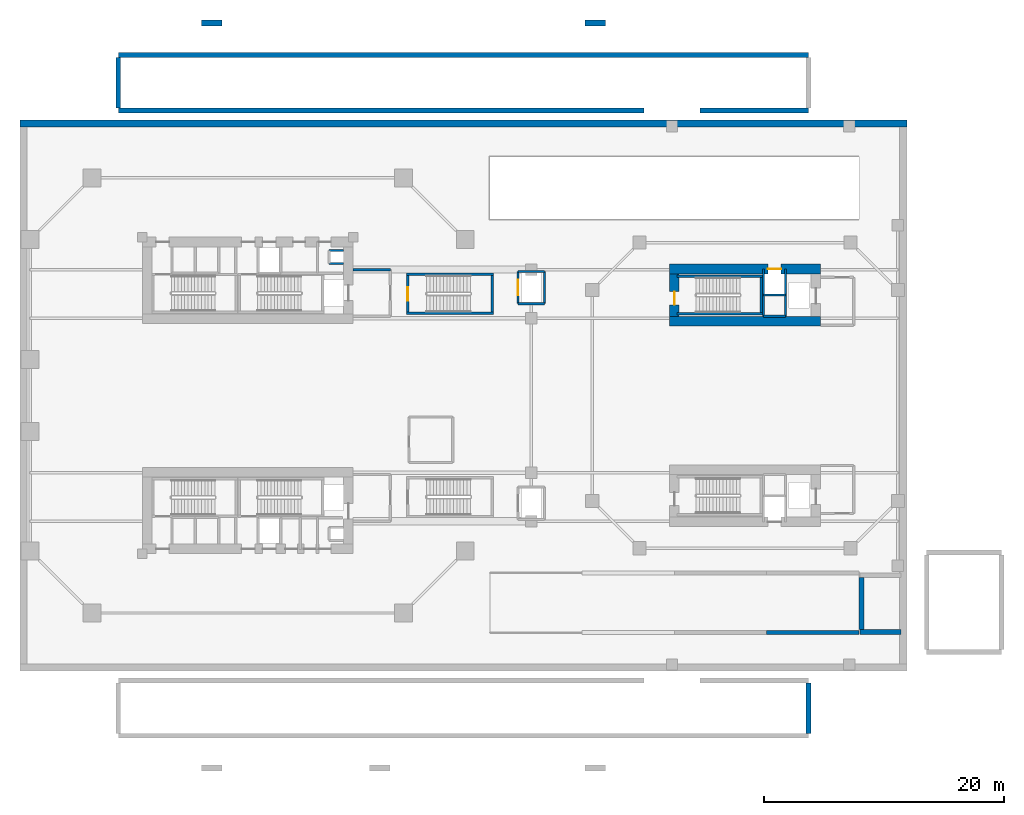
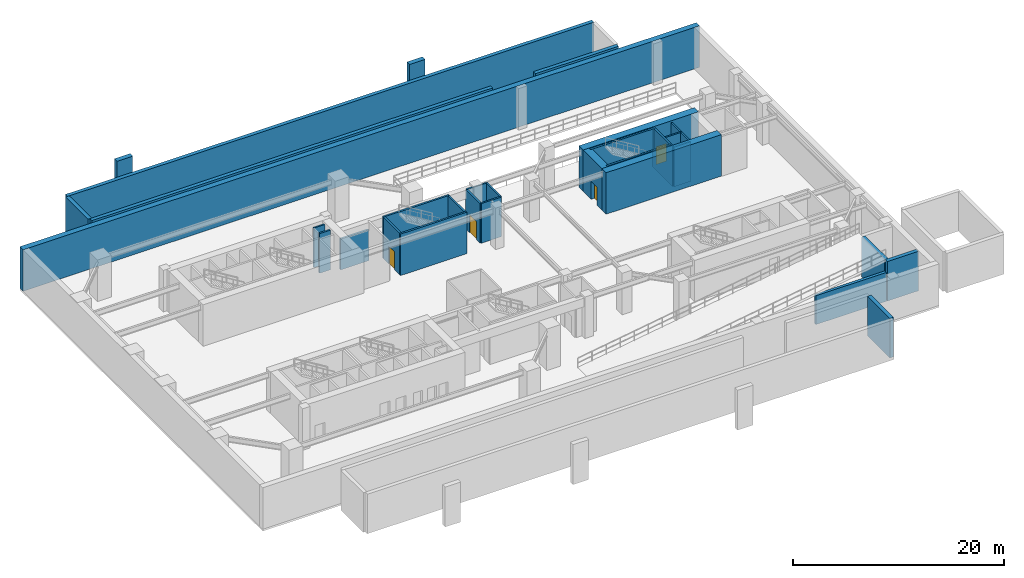
# One storey, part 5 of 10: 32 walls, 4 doors, 4 openings.
"""IFC4 building model written with IfcOpenShell, lengths in metres."""

from ifc_helpers import new_model, si_unit, direction, frame, frame_2d, origin, place, context, subcontext, project, spatial, rectangle, extrude, source, transform, mapped, material, layer, layer_set, type_object, element, fill, save


model = new_model("IFC4")

# Units and contexts
model_context = context("Model", 3, precision=1e-05, world=origin(), true_north=direction((0.0, 1.0)))
body_context = subcontext(model_context, "Body", "Model", "MODEL_VIEW")
ifc_project = project(units=[si_unit("LENGTHUNIT", "METRE"), si_unit("AREAUNIT", "SQUARE_METRE"), si_unit("VOLUMEUNIT", "CUBIC_METRE"), si_unit("PLANEANGLEUNIT", "RADIAN"), si_unit("MASSUNIT", "GRAM", prefix="KILO"), si_unit("THERMODYNAMICTEMPERATUREUNIT", "KELVIN"), si_unit("POWERUNIT", "WATT")], contexts=[model_context])

# Site, building, storey
site_placement = place(None, origin())
site = spatial("IfcSite", under=ifc_project, at=site_placement, CompositionType="ELEMENT")
building_placement = place(site_placement, origin())
building = spatial("IfcBuilding", under=site, at=building_placement, Name="Qiaomeng Ring Towers", CompositionType="ELEMENT")
storey_placement = place(building_placement, frame((0.0, 0.0, -4.800048828125)))
storey = spatial("IfcBuildingStorey", under=building, at=storey_placement, Name="B1", CompositionType="ELEMENT", Elevation=-4.800048828125)

# Walls
ifc_material_1 = material(Name="Autoclaved aerated concrete block", Category="concrete")
ifc_layer_1 = layer(ifc_material_1, 0.199951171875, Name="Autoclaved aerated concrete block")
ifc_layer_set_1 = layer_set([ifc_layer_1], Name="Autoclaved aerated concrete block")
wall_type_1 = type_object("IfcWallType", Name="ARC-WL-PW1", PredefinedType="PARTITIONING", material=ifc_layer_set_1)
wall_1_placement = place(storey_placement, frame((27.800048828125, 33.5, 0.0), z_axis=(0.0, 0.0, 1.0), x_axis=(1.0, 0.0, 0.0)))
element("IfcWall", 1, at=wall_1_placement, inside=storey, type_object=wall_type_1, Name="B1 Interior Wall PW1", PredefinedType="PARTITIONING", context=body_context, shape_type="SweptSolid", body=[
    extrude(rectangle(XDim=3.099853515625, YDim=0.199951171875, at=frame_2d((1.5498046875, 0.0))), origin(), (0.0, 0.0, 1.0), 3.574951171875),
])
ifc_material_2 = material(Name="Concrete C40", Category="concrete")
ifc_layer_2 = layer(ifc_material_2, 0.60009765625, Name="Concrete C40")
ifc_layer_set_2 = layer_set([ifc_layer_2], Name="Concrete C40")
wall_type_2 = type_object("IfcWallType", Name="STR-WL-BW1", PredefinedType="SOLIDWALL", material=ifc_layer_set_2)
wall_2_placement = place(storey_placement, frame((0.0, 45.699951171875, 0.0), z_axis=(0.0, 0.0, 1.0), x_axis=(1.0, 0.0, 0.0)))
element("IfcWall", 2, at=wall_2_placement, inside=storey, type_object=wall_type_2, Name="B1 RET north core shear wall", PredefinedType="SOLIDWALL", context=body_context, shape_type="SweptSolid", body=[
    extrude(rectangle(XDim=74.0, YDim=0.60009765625, at=frame_2d((37.0, 0.0))), origin(), (0.0, 0.0, 1.0), 4.800048828125),
])
ifc_layer_3 = layer(ifc_material_2, 0.39990234375, Name="Concrete C40")
ifc_layer_set_3 = layer_set([ifc_layer_3], Name="Concrete C40")
wall_type_3 = type_object("IfcWallType", Name="STR-WL-BW2", PredefinedType="SOLIDWALL", material=ifc_layer_set_3)
wall_3_placement = place(storey_placement, frame((65.800048828125, -5.199951171875, 0.0), z_axis=(0.0, 0.0, 1.0), x_axis=(0.0, 1.0, 0.0)))
element("IfcWall", 3, at=wall_3_placement, inside=storey, type_object=wall_type_3, Name="B1 Apron Retaining Plinth Wall PLZ-S-E", PredefinedType="SOLIDWALL", context=body_context, shape_type="SweptSolid", body=[
    extrude(rectangle(XDim=4.219970703125, YDim=0.39990234375, at=frame_2d((2.10986328125, 0.0))), origin(), (0.0, 0.0, 1.0), 4.580078125),
])
wall_4_placement = place(storey_placement, frame((8.199951171875, 46.780029296875, 0.0), z_axis=(0.0, 0.0, 1.0), x_axis=(1.0, 0.0, 0.0)))
element("IfcWall", 4, at=wall_4_placement, inside=storey, type_object=wall_type_3, Name="B1 Apron Retaining Plinth Wall PLZ-N-S1", PredefinedType="SOLIDWALL", context=body_context, shape_type="SweptSolid", body=[
    extrude(rectangle(XDim=43.85009765625, YDim=0.39990234375, at=frame_2d((21.925048828125, 0.0))), origin(), (0.0, 0.0, 1.0), 4.580078125),
])
wall_5_placement = place(storey_placement, frame((56.75, 46.780029296875, 0.0), z_axis=(0.0, 0.0, 1.0), x_axis=(1.0, 0.0, 0.0)))
element("IfcWall", 5, at=wall_5_placement, inside=storey, type_object=wall_type_3, Name="B1 Apron Retaining Plinth Wall PLZ-N-S2", PredefinedType="SOLIDWALL", context=body_context, shape_type="SweptSolid", body=[
    extrude(rectangle(XDim=9.050048828125, YDim=0.39990234375, at=frame_2d((4.52490234375, 0.0))), origin(), (0.0, 0.0, 1.0), 4.580078125),
])
wall_6_placement = place(storey_placement, frame((8.199951171875, 51.39990234375, 0.0), z_axis=(0.0, 0.0, 1.0), x_axis=(1.0, 0.0, 0.0)))
element("IfcWall", 6, at=wall_6_placement, inside=storey, type_object=wall_type_3, Name="B1 Apron Retaining Plinth Wall PLZ-N-N", PredefinedType="SOLIDWALL", context=body_context, shape_type="SweptSolid", body=[
    extrude(rectangle(XDim=57.60009765625, YDim=0.39990234375, at=frame_2d((28.800048828125, 0.0))), origin(), (0.0, 0.0, 1.0), 4.580078125),
])
wall_7_placement = place(storey_placement, frame((8.199951171875, 46.97998046875, 0.0), z_axis=(0.0, 0.0, 1.0), x_axis=(0.0, 1.0, 0.0)))
element("IfcWall", 7, at=wall_7_placement, inside=storey, type_object=wall_type_3, Name="B1 Apron Retaining Plinth Wall PLZ-N-W", PredefinedType="SOLIDWALL", context=body_context, shape_type="SweptSolid", body=[
    extrude(rectangle(XDim=4.219970703125, YDim=0.39990234375, at=frame_2d((2.10986328125, 0.0))), origin(), (0.0, 0.0, 1.0), 4.580078125),
])
wall_8_placement = place(storey_placement, frame((70.10009765625, 3.25, 0.0), z_axis=(0.0, 0.0, 1.0), x_axis=(1.0, 0.0, 0.0)))
element("IfcWall", 8, at=wall_8_placement, inside=storey, type_object=wall_type_3, Name="B1 Ramp R1 Landing Support Wall S", PredefinedType="SOLIDWALL", context=body_context, shape_type="SweptSolid", body=[
    extrude(rectangle(XDim=3.39990234375, YDim=0.39990234375, at=frame_2d((1.699951171875, 0.0))), origin(), (0.0, 0.0, 1.0), 4.580078125),
])
wall_9_placement = place(storey_placement, frame((70.199951171875, 3.449951171875, 0.0), z_axis=(0.0, 0.0, 1.0), x_axis=(0.0, 1.0, 0.0)))
element("IfcWall", 9, at=wall_9_placement, inside=storey, type_object=wall_type_3, Name="B1 Ramp R1 Landing Support Wall W", PredefinedType="SOLIDWALL", context=body_context, shape_type="SweptSolid", body=[
    extrude(rectangle(XDim=4.35009765625, YDim=0.39990234375, at=frame_2d((2.175048828125, 0.0))), origin(), (0.0, 0.0, 1.0), 4.580078125),
])
wall_10_placement = place(storey_placement, frame((62.300048828125, 3.219970703125, 0.0), z_axis=(0.0, 0.0, 1.0), x_axis=(1.0, 0.0, 0.0)))
element("IfcWall", 10, at=wall_10_placement, inside=storey, type_object=wall_type_3, Name="B1 Vehicle Ramp R1 Stepped Support Wall S4", PredefinedType="SOLIDWALL", context=body_context, shape_type="SweptSolid", body=[
    extrude(rectangle(XDim=7.699951171875, YDim=0.300048828125, at=frame_2d((3.85009765625, 0.0))), origin(), (0.0, 0.0, 1.0), 3.340087890625),
])
for number, where, z_axis, x_axis, name in (
    (11, (15.14990234375, 54.072998046875, 0.0), (0.0, 0.0, 1.0), (1.0, 0.0, 0.0), "B1 AR3 Kerb Plinth"),
    (12, (47.14990234375, 54.072998046875, 0.0), (0.0, 0.0, 1.0), (1.0, 0.0, 0.0), "B1 AR4 Kerb Plinth"),
):
    element("IfcWall", number, at=place(storey_placement, frame(where, z_axis=z_axis, x_axis=x_axis)), inside=storey, type_object=wall_type_3, Name=name, PredefinedType="SOLIDWALL", context=body_context, shape_type="SweptSolid", body=[
        extrude(rectangle(XDim=1.7001953125, YDim=0.5, at=frame_2d((0.85009765625, 0.0))), origin(), (0.0, 0.0, 1.0), 4.6201171875),
    ])
ifc_layer_4 = layer(ifc_material_2, 0.199951171875, Name="Concrete C40")
ifc_layer_set_4 = layer_set([ifc_layer_4], Name="Concrete C40")
wall_type_4 = type_object("IfcWallType", Name="STR-WL-STSHAFT", PredefinedType="SHEAR", material=ifc_layer_set_4)
for number, where, z_axis, x_axis, name in (
    (13, (25.800048828125, 35.080078125, 0.0), (0.0, 0.0, 1.0), (1.0, 0.0, 0.0), "B1 Riser RSR1 North Shaft Wall N"),
    (14, (25.800048828125, 34.02001953125, 0.0), (0.0, 0.0, 1.0), (1.0, 0.0, 0.0), "B1 Riser RSR1 South Shaft Wall N"),
):
    element("IfcWall", number, at=place(storey_placement, frame(where, z_axis=z_axis, x_axis=x_axis)), inside=storey, type_object=wall_type_4, Name=name, PredefinedType="SHEAR", context=body_context, shape_type="SweptSolid", body=[
        extrude(rectangle(XDim=1.199951171875, YDim=0.179931640625, at=frame_2d((0.60009765625, 0.0))), origin(), (0.0, 0.0, 1.0), 4.580078125),
    ])
for number, where, z_axis, x_axis, name in (
    (15, (62.02001953125, 29.60009765625, 0.0), (0.0, 0.0, 1.0), (0.0, 1.0, 0.0), "B1 Companion Lift Shaft West Wall N"),
    (16, (63.8798828125, 29.60009765625, 0.0), (0.0, 0.0, 1.0), (0.0, 1.0, 0.0), "B1 Companion Lift Shaft East Wall N"),
):
    element("IfcWall", number, at=place(storey_placement, frame(where, z_axis=z_axis, x_axis=x_axis)), inside=storey, type_object=wall_type_4, Name=name, PredefinedType="SHEAR", context=body_context, shape_type="SweptSolid", body=[
        extrude(rectangle(XDim=3.949951171875, YDim=0.179931640625, at=frame_2d((1.97509765625, 0.0))), origin(), (0.0, 0.0, 1.0), 4.580078125),
    ])
for number, where, z_axis, x_axis, name in (
    (17, (62.02001953125, 31.3798828125, 0.0), (0.0, 0.0, 1.0), (1.0, 0.0, 0.0), "B1 Companion Lift Shaft Divider Wall N"),
    (18, (62.02001953125, 29.60009765625, 0.0), (0.0, 0.0, 1.0), (1.0, 0.0, 0.0), "B1 Companion Riser Shaft Back Wall N"),
):
    element("IfcWall", number, at=place(storey_placement, frame(where, z_axis=z_axis, x_axis=x_axis)), inside=storey, type_object=wall_type_4, Name=name, PredefinedType="SHEAR", context=body_context, shape_type="SweptSolid", body=[
        extrude(rectangle(XDim=1.85986328125, YDim=0.179931640625, at=frame_2d((0.929931640625, 0.0))), origin(), (0.0, 0.0, 1.0), 4.580078125),
    ])

# Wall, opening, door
wall_11_placement = place(storey_placement, frame((41.550048828125, 30.64990234375, 0.0), z_axis=(0.0, 0.0, 1.0), x_axis=(0.0, 1.0, 0.0)))
wall_11 = element("IfcWall", 19, at=wall_11_placement, inside=storey, type_object=wall_type_4, Name="B1 Medical Lift LP9 West Shaft Wall", PredefinedType="SHEAR", context=body_context, shape_type="SweptSolid", body=[
    extrude(rectangle(XDim=2.7001953125, YDim=0.179931640625, at=frame_2d((1.35009765625, 0.0))), origin(), (0.0, 0.0, 1.0), 4.580078125),
])
opening_1_placement = place(wall_11_placement, frame((0.699951171875, 0.0, 0.0)))
opening_1 = element("IfcOpeningElement", 20, at=opening_1_placement, cuts=wall_11, Name="Opening LD2", PredefinedType="OPENING", context=body_context, shape_type="SweptSolid", body=[
    extrude(rectangle(XDim=1.300048828125, YDim=2.050048828125, at=frame_2d((0.64990234375, 1.02490234375))), frame((0.0, 0.099853515625, 0.0), z_axis=(0.0, -1.0, 0.0), x_axis=(1.0, 0.0, 0.0)), (0.0, 0.0, 1.0), 0.199951171875),
])
ifc_material_3 = material(Name="Stainless steel 316", Category="steel")
door_type_1 = type_object("IfcDoorType", Name="ARC-DR-LD2", OperationType="NOTDEFINED", PredefinedType="DOOR", material=ifc_material_3)
shared_shape_1 = source(origin(), body_context, "Body", "SweptSolid", [
    extrude(rectangle(XDim=1.300048828125, YDim=2.050048828125, at=frame_2d((0.64990234375, 1.02490234375))), frame((0.0, 0.02490234375, 0.0), z_axis=(0.0, -1.0, 0.0), x_axis=(1.0, 0.0, 0.0)), (0.0, 0.0, 1.0), 0.050048828125),
])
door_1_placement = place(opening_1_placement, origin())
door_1 = element("IfcDoor", 21, at=door_1_placement, inside=storey, type_object=door_type_1, Name="B1 Medical Lift LP9 Landing Door", OperationType="SLIDING_TO_LEFT", OverallHeight=2.050048828125, OverallWidth=1.300048828125, PredefinedType="DOOR", context=body_context, shape_type="MappedRepresentation", body=[
    mapped(shared_shape_1, transform((0.0, 0.0, 0.0), x_axis=(1.0, 0.0, 0.0), y_axis=(0.0, 1.0, 0.0), z_axis=(0.0, 0.0, 1.0), scale=1.0)),
])
fill(opening_1, door_1)

# Walls
wall_12_placement = place(storey_placement, frame((43.75, 30.64990234375, 0.0), z_axis=(0.0, 0.0, 1.0), x_axis=(0.0, 1.0, 0.0)))
element("IfcWall", 22, at=wall_12_placement, inside=storey, type_object=wall_type_4, Name="B1 Medical Lift LP9 East Shaft Wall", PredefinedType="SHEAR", context=body_context, shape_type="SweptSolid", body=[
    extrude(rectangle(XDim=2.7001953125, YDim=0.179931640625, at=frame_2d((1.35009765625, 0.0))), origin(), (0.0, 0.0, 1.0), 4.580078125),
])
for number, where, z_axis, x_axis, name in (
    (23, (41.550048828125, 30.64990234375, 0.0), (0.0, 0.0, 1.0), (1.0, 0.0, 0.0), "B1 Medical Lift LP9 South Shaft Wall"),
    (24, (41.550048828125, 33.35009765625, 0.0), (0.0, 0.0, 1.0), (1.0, 0.0, 0.0), "B1 Medical Lift LP9 North Shaft Wall"),
):
    element("IfcWall", number, at=place(storey_placement, frame(where, z_axis=z_axis, x_axis=x_axis)), inside=storey, type_object=wall_type_4, Name=name, PredefinedType="SHEAR", context=body_context, shape_type="SweptSolid", body=[
        extrude(rectangle(XDim=2.199951171875, YDim=0.179931640625, at=frame_2d((1.10009765625, 0.0))), origin(), (0.0, 0.0, 1.0), 4.580078125),
    ])
for number, where, z_axis, x_axis, name in (
    (25, (54.800048828125, 29.800048828125, 0.0), (0.0, 0.0, 1.0), (1.0, 0.0, 0.0), "B1 Stair ST5 South Shaft Shear Wall"),
    (26, (54.800048828125, 32.93994140625, 0.0), (0.0, 0.0, 1.0), (1.0, 0.0, 0.0), "B1 Stair ST5 North Shaft Shear Wall"),
):
    element("IfcWall", number, at=place(storey_placement, frame(where, z_axis=z_axis, x_axis=x_axis)), inside=storey, type_object=wall_type_4, Name=name, PredefinedType="SHEAR", context=body_context, shape_type="SweptSolid", body=[
        extrude(rectangle(XDim=7.14990234375, YDim=0.199951171875, at=frame_2d((3.574951171875, 0.0))), origin(), (0.0, 0.0, 1.0), 4.800048828125),
    ])
wall_13_placement = place(storey_placement, frame((61.85009765625, 29.89990234375, 0.0), z_axis=(0.0, 0.0, 1.0), x_axis=(0.0, 1.0, 0.0)))
element("IfcWall", 27, at=wall_13_placement, inside=storey, type_object=wall_type_4, Name="B1 Stair ST5 East Shaft Shear Wall", PredefinedType="SHEAR", context=body_context, shape_type="SweptSolid", body=[
    extrude(rectangle(XDim=2.940185546875, YDim=0.199951171875, at=frame_2d((1.47021484375, 0.0))), origin(), (0.0, 0.0, 1.0), 4.800048828125),
])
for number, where, z_axis, x_axis, name in (
    (28, (32.25, 29.860107421875, 0.0), (0.0, 0.0, 1.0), (1.0, 0.0, 0.0), "B1 Stair ST7 South Shaft Shear Wall"),
    (29, (32.25, 33.10009765625, 0.0), (0.0, 0.0, 1.0), (1.0, 0.0, 0.0), "B1 Stair ST7 North Shaft Shear Wall"),
):
    element("IfcWall", number, at=place(storey_placement, frame(where, z_axis=z_axis, x_axis=x_axis)), inside=storey, type_object=wall_type_4, Name=name, PredefinedType="SHEAR", context=body_context, shape_type="SweptSolid", body=[
        extrude(rectangle(XDim=7.25, YDim=0.199951171875, at=frame_2d((3.625, 0.0))), origin(), (0.0, 0.0, 1.0), 4.800048828125),
    ])

# Wall, opening, door
wall_14_placement = place(storey_placement, frame((32.35009765625, 29.9599609375, 0.0), z_axis=(0.0, 0.0, 1.0), x_axis=(0.0, 1.0, 0.0)))
wall_14 = element("IfcWall", 30, at=wall_14_placement, inside=storey, type_object=wall_type_4, Name="B1 Stair ST7 West Shaft Shear Wall", PredefinedType="SHEAR", context=body_context, shape_type="SweptSolid", body=[
    extrude(rectangle(XDim=3.0400390625, YDim=0.199951171875, at=frame_2d((1.52001953125, 0.0))), origin(), (0.0, 0.0, 1.0), 4.800048828125),
])
opening_2_placement = place(wall_14_placement, frame((0.949951171875, 0.0, 0.0)))
opening_2 = element("IfcOpeningElement", 31, at=opening_2_placement, cuts=wall_14, Name="Opening FD3", PredefinedType="OPENING", context=body_context, shape_type="SweptSolid", body=[
    extrude(rectangle(XDim=1.10009765625, YDim=2.050048828125, at=frame_2d((0.550048828125, 1.02490234375))), frame((0.0, 0.10986328125, 0.0), z_axis=(0.0, -1.0, 0.0), x_axis=(1.0, 0.0, 0.0)), (0.0, 0.0, 1.0), 0.219970703125),
])
ifc_material_4 = material(Name="Galvanised steel", Category="steel")
door_type_2 = type_object("IfcDoorType", Name="ARC-DR-FD3", OperationType="NOTDEFINED", PredefinedType="DOOR", material=ifc_material_4)
shared_shape_2 = source(origin(), body_context, "Body", "SweptSolid", [
    extrude(rectangle(XDim=1.10009765625, YDim=2.050048828125, at=frame_2d((0.550048828125, 1.02490234375))), frame((0.0, 0.02490234375, 0.0), z_axis=(0.0, -1.0, 0.0), x_axis=(1.0, 0.0, 0.0)), (0.0, 0.0, 1.0), 0.050048828125),
])
door_2_placement = place(opening_2_placement, origin())
door_2 = element("IfcDoor", 32, at=door_2_placement, inside=storey, type_object=door_type_2, Name="B1 Podium Stair ST7 Exit Door", OperationType="SINGLE_SWING_RIGHT", OverallHeight=2.050048828125, OverallWidth=1.10009765625, PredefinedType="DOOR", context=body_context, shape_type="MappedRepresentation", body=[
    mapped(shared_shape_2, transform((0.0, 0.0, 0.0), x_axis=(1.0, 0.0, 0.0), y_axis=(0.0, 1.0, 0.0), z_axis=(0.0, 0.0, 1.0), scale=1.0)),
])
fill(opening_2, door_2)

# Walls
wall_15_placement = place(storey_placement, frame((39.39990234375, 29.9599609375, 0.0), z_axis=(0.0, 0.0, 1.0), x_axis=(0.0, 1.0, 0.0)))
element("IfcWall", 33, at=wall_15_placement, inside=storey, type_object=wall_type_4, Name="B1 Stair ST7 East Shaft Shear Wall", PredefinedType="SHEAR", context=body_context, shape_type="SweptSolid", body=[
    extrude(rectangle(XDim=3.0400390625, YDim=0.199951171875, at=frame_2d((1.52001953125, 0.0))), origin(), (0.0, 0.0, 1.0), 4.800048828125),
])
ifc_material_5 = material(Name="Concrete C60", Category="concrete")
ifc_layer_5 = layer(ifc_material_5, 0.800048828125, Name="Concrete C60")
ifc_layer_set_5 = layer_set([ifc_layer_5], Name="Concrete C60")
wall_type_5 = type_object("IfcWallType", Name="STR-WL-SW1", PredefinedType="SHEAR", material=ifc_layer_set_5)
wall_16_placement = place(storey_placement, frame((54.199951171875, 29.199951171875, 0.0), z_axis=(0.0, 0.0, 1.0), x_axis=(1.0, 0.0, 0.0)))
element("IfcWall", 34, at=wall_16_placement, inside=storey, type_object=wall_type_5, Name="B1 T2NC south core shear wall", PredefinedType="SHEAR", context=body_context, shape_type="SweptSolid", body=[
    extrude(rectangle(XDim=12.60009765625, YDim=0.800048828125, at=frame_2d((6.300048828125, 0.0))), origin(), (0.0, 0.0, 1.0), 4.800048828125),
])

# Wall, opening, door
wall_17_placement = place(storey_placement, frame((54.199951171875, 33.550048828125, 0.0), z_axis=(0.0, 0.0, 1.0), x_axis=(1.0, 0.0, 0.0)))
wall_17 = element("IfcWall", 35, at=wall_17_placement, inside=storey, type_object=wall_type_5, Name="B1 T2NC north core shear wall", PredefinedType="SHEAR", context=body_context, shape_type="SweptSolid", body=[
    extrude(rectangle(XDim=12.60009765625, YDim=0.800048828125, at=frame_2d((6.300048828125, 0.0))), origin(), (0.0, 0.0, 1.0), 4.800048828125),
])
opening_3_placement = place(wall_17_placement, frame((8.199951171875, 0.0, 0.0)))
opening_3 = element("IfcOpeningElement", 36, at=opening_3_placement, cuts=wall_17, Name="Opening LD1", PredefinedType="OPENING", context=body_context, shape_type="SweptSolid", body=[
    extrude(rectangle(XDim=1.10009765625, YDim=2.050048828125, at=frame_2d((0.550048828125, 1.02490234375))), frame((0.0, 0.409912109375, 0.0), z_axis=(0.0, -1.0, 0.0), x_axis=(1.0, 0.0, 0.0)), (0.0, 0.0, 1.0), 0.820068359375),
])
door_type_3 = type_object("IfcDoorType", Name="ARC-DR-LD1", OperationType="NOTDEFINED", PredefinedType="DOOR", material=ifc_material_3)
door_3_placement = place(opening_3_placement, origin())
door_3 = element("IfcDoor", 37, at=door_3_placement, inside=storey, type_object=door_type_3, Name="B1 Companion Lift LP7 Landing Door", OperationType="SLIDING_TO_LEFT", OverallHeight=2.050048828125, OverallWidth=1.10009765625, PredefinedType="DOOR", context=body_context, shape_type="MappedRepresentation", body=[
    mapped(shared_shape_2, transform((0.0, 0.0, 0.0), x_axis=(1.0, 0.0, 0.0), y_axis=(0.0, 1.0, 0.0), z_axis=(0.0, 0.0, 1.0), scale=1.0)),
])
fill(opening_3, door_3)

wall_18_placement = place(storey_placement, frame((54.60009765625, 29.60009765625, 0.0), z_axis=(0.0, 0.0, 1.0), x_axis=(0.0, 1.0, 0.0)))
wall_18 = element("IfcWall", 38, at=wall_18_placement, inside=storey, type_object=wall_type_5, Name="B1 T2NC west core shear wall", PredefinedType="SHEAR", context=body_context, shape_type="SweptSolid", body=[
    extrude(rectangle(XDim=3.5498046875, YDim=0.800048828125, at=frame_2d((1.77490234375, 0.0))), origin(), (0.0, 0.0, 1.0), 4.800048828125),
])
opening_4_placement = place(wall_18_placement, frame((0.949951171875, 0.0, 0.0)))
opening_4 = element("IfcOpeningElement", 39, at=opening_4_placement, cuts=wall_18, Name="Opening FD3", PredefinedType="OPENING", context=body_context, shape_type="SweptSolid", body=[
    extrude(rectangle(XDim=1.10009765625, YDim=2.050048828125, at=frame_2d((0.550048828125, 1.02490234375))), frame((0.0, 0.409912109375, 0.0), z_axis=(0.0, -1.0, 0.0), x_axis=(1.0, 0.0, 0.0)), (0.0, 0.0, 1.0), 0.820068359375),
])
door_4_placement = place(opening_4_placement, origin())
door_4 = element("IfcDoor", 40, at=door_4_placement, inside=storey, type_object=door_type_2, Name="B1 Stair ST5 Exit Door", OperationType="SINGLE_SWING_LEFT", OverallHeight=2.050048828125, OverallWidth=1.10009765625, PredefinedType="DOOR", context=body_context, shape_type="MappedRepresentation", body=[
    mapped(shared_shape_2, transform((0.0, 0.0, 0.0), x_axis=(1.0, 0.0, 0.0), y_axis=(0.0, 1.0, 0.0), z_axis=(0.0, 0.0, 1.0), scale=1.0)),
])
fill(opening_4, door_4)

save(model, "model.ifc")
